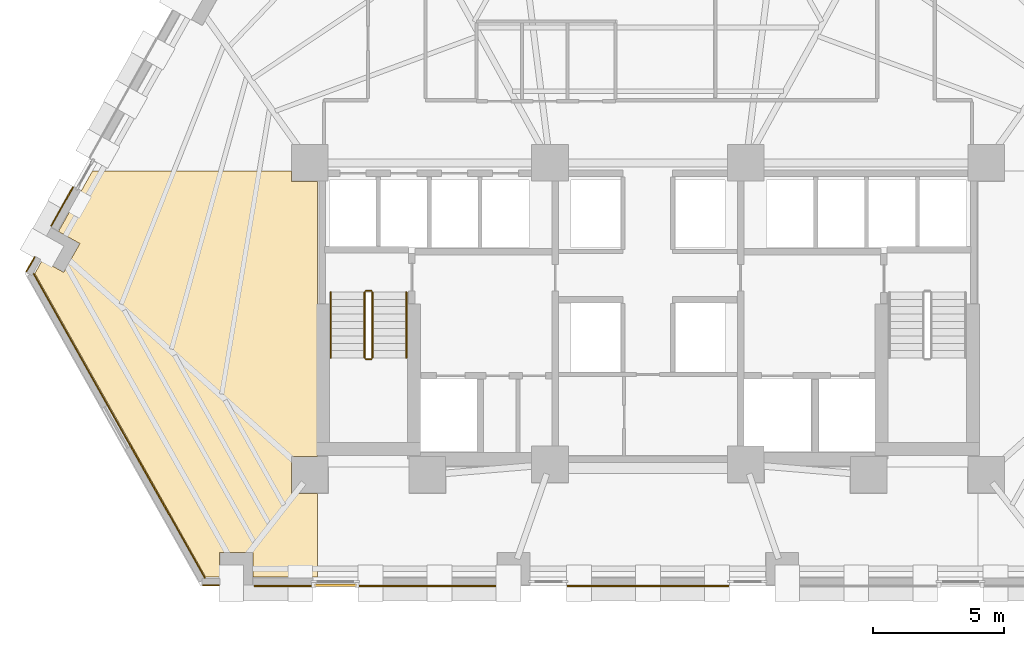
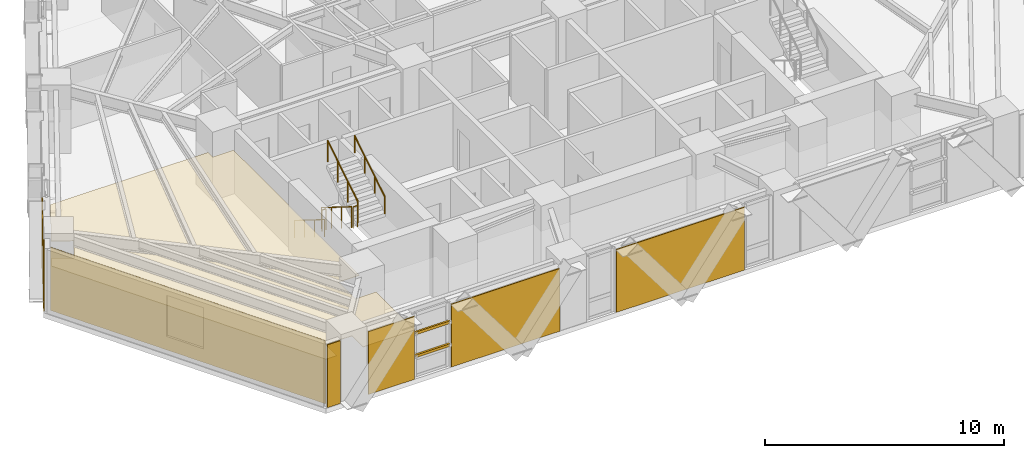
# One storey, part 10 of 13: 8 coverings, 6 railings, 2 shading devices.
"""IFC4 building model written with IfcOpenShell, lengths in metres."""

import ifcopenshell
import ifcopenshell.guid

model = None  # the IFC model being written
_history = None  # IfcOwnerHistory: only IFC2X3 demands one
_inside = {}  # id of a spatial element -> (the spatial element, [elements in it])
_under = {}  # id of a project, library or spatial element -> (it, [spatial elements below it])
_declared = {}  # id of a project -> (the project, [libraries it declares])
_typed = {}  # id of a type object -> (the type object, [elements of that type])
_made_of = {}  # id of a material, layer set ... -> (it, [elements and type objects made of it])


def new_model(schema):
    """Start an empty IFC model of exactly this schema.

    Asked for "IFC4X3", IfcOpenShell would pick the latest addendum, in which some entities
    have other attributes; the version numbers below select the first issue.
    IFC2X3 requires an IfcOwnerHistory on every rooted entity: one is made here for all.
    """
    global model, _history
    if schema == "IFC4X3":
        model = ifcopenshell.file(schema_version=(4, 3, 0, 0))
    else:
        model = ifcopenshell.file(schema=schema)
    _inside.clear()
    _under.clear()
    _declared.clear()
    _typed.clear()
    _made_of.clear()
    _history = None
    if model.schema == "IFC2X3":
        org = make("IfcOrganization", Name="unknown")
        user = make(
            "IfcPersonAndOrganization",
            ThePerson=make("IfcPerson", FamilyName="unknown"),
            TheOrganization=org,
        )
        app = make(
            "IfcApplication",
            ApplicationDeveloper=org,
            Version="unknown",
            ApplicationFullName="unknown",
            ApplicationIdentifier="unknown",
        )
        _history = make(
            "IfcOwnerHistory",
            OwningUser=user,
            OwningApplication=app,
            ChangeAction="ADDED",
            CreationDate=0,
        )
    return model


def make(cls, **values):
    """One entity of the class cls with the attributes given. An attribute that is None is left unset."""
    return model.create_entity(
        cls, **{name: value for name, value in values.items() if value is not None}
    )


def rooted(cls, **values):
    """An entity with a GlobalId (a new one), such as an element, a storey or a relation."""
    return make(cls, GlobalId=ifcopenshell.guid.new(), OwnerHistory=_history, **values)


def si_unit(unit_type, name, prefix=None):
    """IfcSIUnit, for example si_unit("LENGTHUNIT", "METRE", prefix="MILLI")."""
    return make("IfcSIUnit", UnitType=unit_type, Prefix=prefix, Name=name)


def assignment(units):
    """IfcUnitAssignment: the units of a project."""
    return None if units is None else make("IfcUnitAssignment", Units=units)


def point(xyz):
    """IfcCartesianPoint."""
    return None if xyz is None else make("IfcCartesianPoint", Coordinates=xyz)


def direction(xyz):
    """IfcDirection."""
    return None if xyz is None else make("IfcDirection", DirectionRatios=xyz)


def frame(location, z_axis=None, x_axis=None):
    """IfcAxis2Placement3D, a coordinate frame: its origin and axes. An axis left out is left unset."""
    return make(
        "IfcAxis2Placement3D",
        Location=point(location),
        Axis=direction(z_axis),
        RefDirection=direction(x_axis),
    )


def frame_2d(location, x_axis=None):
    """IfcAxis2Placement2D, a coordinate frame in the plane: its origin and x axis."""
    return make(
        "IfcAxis2Placement2D", Location=point(location), RefDirection=direction(x_axis)
    )


def origin():
    """The frame at (0, 0, 0) with its axes left unset."""
    return frame((0.0, 0.0, 0.0))


def origin_2d():
    """The frame at (0, 0) in the plane with its x axis left unset."""
    return frame_2d((0.0, 0.0))


def place(relative_to, where):
    """IfcLocalPlacement: puts the frame where relative to a parent placement (None: the world)."""
    return make(
        "IfcLocalPlacement", PlacementRelTo=relative_to, RelativePlacement=where
    )


def context(
    kind, dimensions, precision=None, world=None, true_north=None, identifier=None
):
    """IfcGeometricRepresentationContext, for example the 3D "Model" context."""
    return make(
        "IfcGeometricRepresentationContext",
        ContextIdentifier=identifier,
        ContextType=kind,
        CoordinateSpaceDimension=dimensions,
        Precision=precision,
        WorldCoordinateSystem=world,
        TrueNorth=true_north,
    )


def subcontext(parent, identifier, kind, view, scale=None):
    """IfcGeometricRepresentationSubContext, for example "Body" below "Model"."""
    return make(
        "IfcGeometricRepresentationSubContext",
        ContextIdentifier=identifier,
        ContextType=kind,
        ParentContext=parent,
        TargetScale=scale,
        TargetView=view,
    )


def project(units=None, contexts=None):
    """IfcProject with its units and contexts."""
    return rooted(
        "IfcProject",
        Name="project",
        RepresentationContexts=contexts,
        UnitsInContext=assignment(units),
    )


def spatial(cls, under=None, at=None, **own):
    """A site, building, storey or space (cls), placed at a placement, below another one or the project."""
    s = rooted(cls, ObjectPlacement=at, **own)
    if under is not None:
        _under.setdefault(under.id(), (under, []))[1].append(s)
    return s


def polyline(points):
    """IfcPolyline through the points."""
    return make("IfcPolyline", Points=[point(p) for p in points])


def profile(cls, at=None, kind="AREA", **sizes):
    """A parametric profile (cls). Its sizes go by their IFC names, for example OverallWidth=200.0."""
    return make(cls, ProfileType=kind, Position=at, **sizes)


def rectangle(**sizes):
    """IfcRectangleProfileDef."""
    return profile("IfcRectangleProfileDef", **sizes)


def circle(**sizes):
    """IfcCircleProfileDef."""
    return profile("IfcCircleProfileDef", **sizes)


def outline(outer, holes=None, kind="AREA"):
    """IfcArbitraryClosedProfileDef: a profile drawn as a closed curve; with holes, ...WithVoids."""
    if holes is None:
        return make("IfcArbitraryClosedProfileDef", ProfileType=kind, OuterCurve=outer)
    return make(
        "IfcArbitraryProfileDefWithVoids",
        ProfileType=kind,
        OuterCurve=outer,
        InnerCurves=holes,
    )


def extrude(swept, where, along, depth):
    """IfcExtrudedAreaSolid: the profile swept, set in the frame where, extruded along a direction by depth."""
    return make(
        "IfcExtrudedAreaSolid",
        SweptArea=swept,
        Position=where,
        ExtrudedDirection=direction(along),
        Depth=depth,
    )


def shape(context_of_items, identifier, shape_type, items):
    """IfcShapeRepresentation: the items that make up one representation, for example the "Body"."""
    return make(
        "IfcShapeRepresentation",
        ContextOfItems=context_of_items,
        RepresentationIdentifier=identifier,
        RepresentationType=shape_type,
        Items=items,
    )


def material(Name=None, Category=None):
    """IfcMaterial."""
    return make("IfcMaterial", Name=Name, Category=Category)


def layer(
    of_material, thickness, ventilated=None, Name=None, Category=None, Priority=None
):
    """IfcMaterialLayer: one layer of a wall or slab, of a material (None: an air gap)."""
    return make(
        "IfcMaterialLayer",
        Material=of_material,
        LayerThickness=thickness,
        IsVentilated=ventilated,
        Name=Name,
        Category=Category,
        Priority=Priority,
    )


def layer_set(layers, Name=None):
    """IfcMaterialLayerSet."""
    return make("IfcMaterialLayerSet", MaterialLayers=layers, LayerSetName=Name)


def material_profile(
    of_material, cross_section, Name=None, Category=None, Priority=None
):
    """IfcMaterialProfile: a cross section and its material."""
    return make(
        "IfcMaterialProfile",
        Name=Name,
        Material=of_material,
        Profile=cross_section,
        Priority=Priority,
        Category=Category,
    )


def profile_set(profiles, Name=None, composite=None):
    """IfcMaterialProfileSet."""
    return make(
        "IfcMaterialProfileSet",
        Name=Name,
        MaterialProfiles=profiles,
        CompositeProfile=composite,
    )


def made_of(thing, what):
    """Note that an element or type object is made of a material, layer set ...; save() writes the relation."""
    if what is not None:
        _made_of.setdefault(what.id(), (what, []))[1].append(thing)
    return thing


def type_object(cls, material=None, **own):
    """A type object (cls), such as IfcWallType, which elements share."""
    return made_of(rooted(cls, **own), material)


def element(
    cls,
    number,
    at=None,
    inside=None,
    cuts=None,
    type_object=None,
    material=None,
    context=None,
    identifier="Body",
    shape_type=None,
    held_by="IfcProductDefinitionShape",
    body=None,
    shapes=None,
    **own,
):
    """One element of the class cls, such as IfcWall. Its Tag is "e" and its number.

    at: its placement. inside: the storey or other place that contains it. cuts: it is an
    opening in that element (IfcRelVoidsElement). A single representation is given by context,
    identifier, shape_type and body (its items); several are given by shapes. held_by: the class
    of the entity that holds the representations. save() writes the other relations.
    """
    e = rooted(cls, Tag="e%d" % number, ObjectPlacement=at, **own)
    if body is not None:
        shapes = [shape(context, identifier, shape_type, body)]
    if shapes is not None:
        e.Representation = make(held_by, Representations=shapes)
    if inside is not None:
        _inside.setdefault(inside.id(), (inside, []))[1].append(e)
    if cuts is not None:
        rooted(
            "IfcRelVoidsElement", RelatingBuildingElement=cuts, RelatedOpeningElement=e
        )
    if type_object is not None:
        _typed.setdefault(type_object.id(), (type_object, []))[1].append(e)
    return made_of(e, material)


def aggregate(whole, parts):
    """IfcRelAggregates: a whole, such as a stair, and the parts it consists of."""
    return rooted("IfcRelAggregates", RelatingObject=whole, RelatedObjects=parts)


def save(model, path):
    """Write the relations noted so far, then the file.

    IfcRelAggregates (storeys below a building ...), IfcRelContainedInSpatialStructure (elements
    in a storey), IfcRelDefinesByType, IfcRelAssociatesMaterial and IfcRelDeclares: one each for
    every whole, place, type object, material and project.
    """
    for whole, parts in _under.values():
        aggregate(whole, parts)
    for where, things in _inside.values():
        rooted(
            "IfcRelContainedInSpatialStructure",
            RelatedElements=things,
            RelatingStructure=where,
        )
    for kind, things in _typed.values():
        rooted("IfcRelDefinesByType", RelatedObjects=things, RelatingType=kind)
    for what, things in _made_of.values():
        rooted("IfcRelAssociatesMaterial", RelatedObjects=things, RelatingMaterial=what)
    for by, libraries in _declared.values():
        rooted("IfcRelDeclares", RelatingContext=by, RelatedDefinitions=libraries)
    model.write(path)


model = new_model("IFC4")

# Units and contexts
model_context = context("Model", 3, precision=1e-05, world=origin(), true_north=direction((0.0, 1.0)))
body_context = subcontext(model_context, "Body", "Model", "MODEL_VIEW")
ifc_project = project(units=[si_unit("LENGTHUNIT", "METRE"), si_unit("AREAUNIT", "SQUARE_METRE"), si_unit("VOLUMEUNIT", "CUBIC_METRE"), si_unit("PLANEANGLEUNIT", "RADIAN"), si_unit("MASSUNIT", "GRAM", prefix="KILO")], contexts=[model_context])

# Site, building, storey
site_placement = place(None, origin())
site = spatial("IfcSite", under=ifc_project, at=site_placement, CompositionType="ELEMENT")
building_placement = place(site_placement, origin())
building = spatial("IfcBuilding", under=site, at=building_placement, Name="Quenlor Broadcast Tower", CompositionType="ELEMENT")
storey_placement = place(building_placement, frame((0.0, 0.0, 59.10009765625)))
storey = spatial("IfcBuildingStorey", under=building, at=storey_placement, Name="L15", CompositionType="ELEMENT", Elevation=59.10009765625)

# Covering
ifc_material_1 = material(Name="Acoustic Mineral Fibre Board", Category="other")
ifc_layer_1 = layer(ifc_material_1, 0.02490234375)
ifc_layer_set_1 = layer_set([ifc_layer_1], Name="Acoustic Perforated Mineral Tile Ceiling 25")
covering_type_1 = type_object("IfcCoveringType", Name="Acoustic Perforated Mineral Tile Ceiling 25", PredefinedType="CEILING", material=ifc_layer_set_1)
covering_1_placement = place(storey_placement, frame((0.0, 0.0, 2.224853515625)))
element("IfcCovering", 1, at=covering_1_placement, inside=storey, type_object=covering_type_1, Name="L15 Acoustic Ceiling L15-38-3", PredefinedType="CEILING", context=body_context, shape_type="SweptSolid", body=[
    extrude(outline(polyline([(-21.754150390625, -7.890625), (-22.575927734375, -7.428466796875), (-21.27734375, -5.1201171875), (-13.657958984375, -5.1201171875), (-13.657958984375, -5.508056640625), (-12.64990234375, -5.508056640625), (-12.64990234375, -16.0419921875), (-13.657958984375, -16.0419921875), (-13.657958984375, -17.4580078125), (-12.64990234375, -17.4580078125), (-12.64990234375, -20.659912109375), (-15.132080078125, -20.659912109375), (-15.132080078125, -19.717041015625), (-16.398193359375, -19.717041015625), (-16.398193359375, -20.659912109375), (-16.937255859375, -20.659912109375), (-23.477783203125, -9.031982421875), (-23.196533203125, -8.531982421875), (-22.374755859375, -8.994140625), (-21.754150390625, -7.890625)])), origin(), (0.0, 0.0, 1.0), 0.025146484375),
])

# Shading devices
ifc_material_2 = material(Name="Architectural Terracotta Ceramic", Category="masonry")
ifc_material_profile = material_profile(ifc_material_2, rectangle(XDim=0.090087890625, YDim=0.139892578125, at=origin_2d()))
ifc_profile_set = profile_set([ifc_material_profile], Name="Architectural Terracotta Ceramic BAG90x140")
shading_device_type = type_object("IfcShadingDeviceType", Name="Copper Terracotta Baguette Solar Screen 140", PredefinedType="USERDEFINED", material=ifc_profile_set)
for number, where, z_axis, x_axis, name in (
    (2, (-11.146484375, -20.98291015625, 1.169921875), (-1.0, 0.0, 0.0), (0.0, -1.0, 0.0), "L15 Terracotta Baguette Screen 1"),
    (3, (-11.146484375, -20.98291015625, 2.33984375), (-1.0, 0.0, 0.0), (0.0, -1.0, 0.0), "L15 Terracotta Baguette Screen 2"),
):
    element("IfcShadingDevice", number, at=place(storey_placement, frame(where, z_axis=z_axis, x_axis=x_axis)), inside=storey, type_object=shading_device_type, Name=name, ObjectType="BAGUETTE", PredefinedType="USERDEFINED", context=body_context, shape_type="SweptSolid", body=[
        extrude(rectangle(XDim=0.090087890625, YDim=0.139892578125, at=origin_2d()), origin(), (0.0, 0.0, 1.0), 1.6484375),
    ])

# Coverings
ifc_material_3 = material(Name="Architectural Terracotta Ceramic", Category="masonry")
ifc_layer_2 = layer(ifc_material_3, 0.044921875)
ifc_layer_set_2 = layer_set([ifc_layer_2], Name="Fluted Terracotta Rainscreen Cladding Panel")
covering_type_2 = type_object("IfcCoveringType", Name="Fluted Terracotta Rainscreen Cladding Panel", PredefinedType="CLADDING", material=ifc_layer_set_2)
covering_2_placement = place(storey_placement, frame((0.0, 0.0, 0.02001953125)))
element("IfcCovering", 4, at=covering_2_placement, inside=storey, type_object=covering_type_2, Name="L15 Terracotta Rainscreen Cladding L15-SHD-SS1", PredefinedType="CLADDING", context=body_context, shape_type="SweptSolid", body=[
    extrude(outline(polyline([(-16.425048828125, -20.951904296875), (-17.0458984375, -20.951904296875), (-17.0458984375, -20.9970703125), (-16.425048828125, -20.9970703125), (-16.425048828125, -20.951904296875)])), origin(), (0.0, 0.0, 1.0), 3.2099609375),
])
covering_3_placement = place(storey_placement, frame((0.0, 0.0, 0.02001953125)))
element("IfcCovering", 5, at=covering_3_placement, inside=storey, type_object=covering_type_2, Name="L15 Terracotta Rainscreen Cladding L15-SC-SP1", PredefinedType="CLADDING", context=body_context, shape_type="SweptSolid", body=[
    extrude(outline(polyline([(-5.82080078125, -20.98193359375), (-11.07666015625, -20.98193359375), (-11.07666015625, -21.027099609375), (-5.82080078125, -21.027099609375), (-5.82080078125, -20.98193359375)])), origin(), (0.0, 0.0, 1.0), 3.2099609375),
])
covering_4_placement = place(storey_placement, frame((0.0, 0.0, 0.02001953125)))
element("IfcCovering", 6, at=covering_4_placement, inside=storey, type_object=covering_type_2, Name="L15 Terracotta Rainscreen Cladding L15-SC-SP2", PredefinedType="CLADDING", context=body_context, shape_type="SweptSolid", body=[
    extrude(outline(polyline([(-12.864990234375, -20.98193359375), (-15.085205078125, -20.98193359375), (-15.085205078125, -21.027099609375), (-12.864990234375, -21.027099609375), (-12.864990234375, -20.98193359375)])), origin(), (0.0, 0.0, 1.0), 3.2099609375),
])
covering_5_placement = place(storey_placement, frame((0.0, 0.0, 0.02001953125)))
element("IfcCovering", 7, at=covering_5_placement, inside=storey, type_object=covering_type_2, Name="L15 Terracotta Rainscreen Cladding L15-S-SP1", PredefinedType="CLADDING", context=body_context, shape_type="SweptSolid", body=[
    extrude(outline(polyline([(3.09619140625, -20.98193359375), (-3.09619140625, -20.98193359375), (-3.09619140625, -21.027099609375), (3.09619140625, -21.027099609375), (3.09619140625, -20.98193359375)])), origin(), (0.0, 0.0, 1.0), 3.2099609375),
])
covering_6_placement = place(storey_placement, frame((0.0, 0.0, 0.02001953125)))
element("IfcCovering", 8, at=covering_6_placement, inside=storey, type_object=covering_type_2, Name="L15 Terracotta Rainscreen Cladding L15-SHD-NWS0", PredefinedType="CLADDING", context=body_context, shape_type="SweptSolid", body=[
    extrude(outline(polyline([(-23.781982421875, -8.97705078125), (-23.464111328125, -8.412109375), (-23.50341796875, -8.39013671875), (-23.8212890625, -8.955078125), (-23.781982421875, -8.97705078125)])), origin(), (0.0, 0.0, 1.0), 3.2099609375),
])
covering_7_placement = place(storey_placement, frame((0.0, 0.0, 0.02001953125)))
element("IfcCovering", 9, at=covering_7_placement, inside=storey, type_object=covering_type_2, Name="L15 Terracotta Rainscreen Cladding L15-NWA-SP1", PredefinedType="CLADDING", context=body_context, shape_type="SweptSolid", body=[
    extrude(outline(polyline([(-22.83349609375, -7.2294921875), (-21.989013671875, -5.728271484375), (-22.0283203125, -5.706298828125), (-22.872802734375, -7.20751953125), (-22.83349609375, -7.2294921875)])), origin(), (0.0, 0.0, 1.0), 3.2099609375),
])
covering_8_placement = place(storey_placement, frame((0.0, 0.0, 0.02001953125)))
element("IfcCovering", 10, at=covering_8_placement, inside=storey, type_object=covering_type_2, Name="L15 Terracotta Rainscreen Cladding L15-CNR-04", PredefinedType="CLADDING", context=body_context, shape_type="SweptSolid", body=[
    extrude(outline(polyline([(-23.547607421875, -9.046875), (-16.98388671875, -20.71533203125), (-16.94482421875, -20.693359375), (-23.50830078125, -9.02490234375), (-23.547607421875, -9.046875)])), origin(), (0.0, 0.0, 1.0), 3.2099609375),
])

# Railings
ifc_material_4 = material(Name="Anodised Aluminium", Category="aluminium")
railing_type_1 = type_object("IfcRailingType", Name="Stainless Aluminium Wall Handrail 900", PredefinedType="HANDRAIL", material=ifc_material_4)
railing_1_placement = place(storey_placement, frame((-12.14990234375, -9.75, 0.1748046875)))
element("IfcRailing", 11, at=railing_1_placement, inside=storey, type_object=railing_type_1, Name="L15 ST-1 stair handrail 1", PredefinedType="HANDRAIL", context=body_context, shape_type="SweptSolid", body=[
    extrude(circle(Radius=0.02392578125, at=origin_2d()), frame((0.0, 0.0, 0.8759765625), z_axis=(0.0, -0.847970611238, 0.530043245855), x_axis=(1.0, 0.0, 0.0)), (0.0, 0.0, 1.0), 2.971923828125),
    extrude(circle(Radius=0.02099609375, at=origin_2d()), origin(), (0.0, 0.0, 1.0), 0.851806640625),
    extrude(circle(Radius=0.02099609375, at=origin_2d()), frame((0.0, -0.840087890625, 0.525146484375)), (0.0, 0.0, 1.0), 0.851806640625),
    extrude(circle(Radius=0.02099609375, at=origin_2d()), frame((0.0, -1.679931640625, 1.050048828125)), (0.0, 0.0, 1.0), 0.851806640625),
    extrude(circle(Radius=0.02099609375, at=origin_2d()), frame((0.0, -2.52001953125, 1.5751953125)), (0.0, 0.0, 1.0), 0.851806640625),
])
railing_2_placement = place(storey_placement, frame((-9.25, -12.27001953125, 1.9248046875)))
element("IfcRailing", 12, at=railing_2_placement, inside=storey, type_object=railing_type_1, Name="L15 ST-1 stair handrail 2", PredefinedType="HANDRAIL", context=body_context, shape_type="SweptSolid", body=[
    extrude(circle(Radius=0.02392578125, at=origin_2d()), frame((0.0, 0.0, 0.8759765625), z_axis=(0.0, 0.847970611238, 0.530043245855), x_axis=(-1.0, 0.0, 0.0)), (0.0, 0.0, 1.0), 2.971923828125),
    extrude(circle(Radius=0.02099609375, at=origin_2d()), origin(), (0.0, 0.0, 1.0), 0.851806640625),
    extrude(circle(Radius=0.02099609375, at=origin_2d()), frame((0.0, 0.840087890625, 0.525146484375)), (0.0, 0.0, 1.0), 0.851806640625),
    extrude(circle(Radius=0.02099609375, at=origin_2d()), frame((0.0, 1.679931640625, 1.050048828125)), (0.0, 0.0, 1.0), 0.851806640625),
    extrude(circle(Radius=0.02099609375, at=origin_2d()), frame((0.0, 2.52001953125, 1.5751953125)), (0.0, 0.0, 1.0), 0.851806640625),
])
ifc_material_5 = material(Name="Steel S355", Category="steel")
railing_type_2 = type_object("IfcRailingType", Name="Tubular Steel S355 Stair Guardrail 1100", PredefinedType="BALUSTRADE", material=ifc_material_5)
railing_3_placement = place(storey_placement, frame((-10.85009765625, -9.75, 0.1748046875)))
element("IfcRailing", 13, at=railing_3_placement, inside=storey, type_object=railing_type_2, Name="L15 ST-1 stair guard 1", PredefinedType="BALUSTRADE", context=body_context, shape_type="SweptSolid", body=[
    extrude(circle(Radius=0.02392578125, at=origin_2d()), frame((0.0, 0.0, 1.076171875), z_axis=(0.0, -0.847970611238, 0.530043245855), x_axis=(1.0, 0.0, 0.0)), (0.0, 0.0, 1.0), 2.971923828125),
    extrude(circle(Radius=0.02099609375, at=origin_2d()), origin(), (0.0, 0.0, 1.0), 1.052001953125),
    extrude(circle(Radius=0.02099609375, at=origin_2d()), frame((0.0, -0.840087890625, 0.525146484375)), (0.0, 0.0, 1.0), 1.052001953125),
    extrude(circle(Radius=0.02099609375, at=origin_2d()), frame((0.0, -1.679931640625, 1.050048828125)), (0.0, 0.0, 1.0), 1.052001953125),
    extrude(circle(Radius=0.02099609375, at=origin_2d()), frame((0.0, -2.52001953125, 1.5751953125)), (0.0, 0.0, 1.0), 1.052001953125),
])
railing_4_placement = place(storey_placement, frame((-10.800048828125, -12.320068359375, 1.75)))
element("IfcRailing", 14, at=railing_4_placement, inside=storey, type_object=railing_type_2, Name="L15 ST-1 stair guard 2", PredefinedType="BALUSTRADE", context=body_context, shape_type="SweptSolid", body=[
    extrude(circle(Radius=0.02392578125, at=origin_2d()), frame((0.0, 0.0, 1.076171875), z_axis=(1.0, 0.0, 0.0), x_axis=(0.0, 1.0, 0.0)), (0.0, 0.0, 1.0), 0.199951171875),
    extrude(circle(Radius=0.02099609375, at=origin_2d()), origin(), (0.0, 0.0, 1.0), 1.052001953125),
    extrude(circle(Radius=0.02099609375, at=origin_2d()), frame((0.199951171875, 0.0, 0.0)), (0.0, 0.0, 1.0), 1.052001953125),
])
railing_5_placement = place(storey_placement, frame((-10.550048828125, -12.27001953125, 1.9248046875)))
element("IfcRailing", 15, at=railing_5_placement, inside=storey, type_object=railing_type_2, Name="L15 ST-1 stair guard 3", PredefinedType="BALUSTRADE", context=body_context, shape_type="SweptSolid", body=[
    extrude(circle(Radius=0.02392578125, at=origin_2d()), frame((0.0, 0.0, 1.076171875), z_axis=(0.0, 0.847970611238, 0.530043245855), x_axis=(-1.0, 0.0, 0.0)), (0.0, 0.0, 1.0), 2.971923828125),
    extrude(circle(Radius=0.02099609375, at=origin_2d()), origin(), (0.0, 0.0, 1.0), 1.052001953125),
    extrude(circle(Radius=0.02099609375, at=origin_2d()), frame((0.0, 0.840087890625, 0.525146484375)), (0.0, 0.0, 1.0), 1.052001953125),
    extrude(circle(Radius=0.02099609375, at=origin_2d()), frame((0.0, 1.679931640625, 1.050048828125)), (0.0, 0.0, 1.0), 1.052001953125),
    extrude(circle(Radius=0.02099609375, at=origin_2d()), frame((0.0, 2.52001953125, 1.5751953125)), (0.0, 0.0, 1.0), 1.052001953125),
])
railing_6_placement = place(storey_placement, frame((-10.800048828125, -9.699951171875, 0.0)))
element("IfcRailing", 16, at=railing_6_placement, inside=storey, type_object=railing_type_2, Name="L15 ST-1 stair guard 4", PredefinedType="BALUSTRADE", context=body_context, shape_type="SweptSolid", body=[
    extrude(circle(Radius=0.02392578125, at=origin_2d()), frame((0.0, 0.0, 1.076171875), z_axis=(1.0, 0.0, 0.0), x_axis=(0.0, 1.0, 0.0)), (0.0, 0.0, 1.0), 0.199951171875),
    extrude(circle(Radius=0.02099609375, at=origin_2d()), origin(), (0.0, 0.0, 1.0), 1.052001953125),
    extrude(circle(Radius=0.02099609375, at=origin_2d()), frame((0.199951171875, 0.0, 0.0)), (0.0, 0.0, 1.0), 1.052001953125),
])

save(model, "model.ifc")
